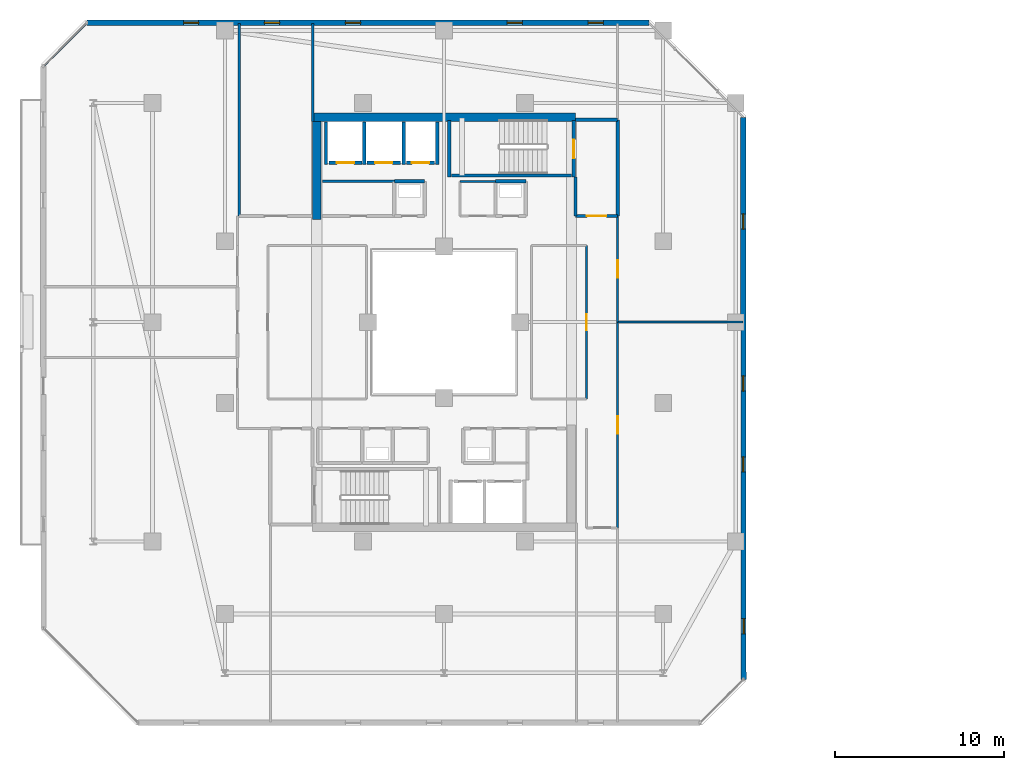
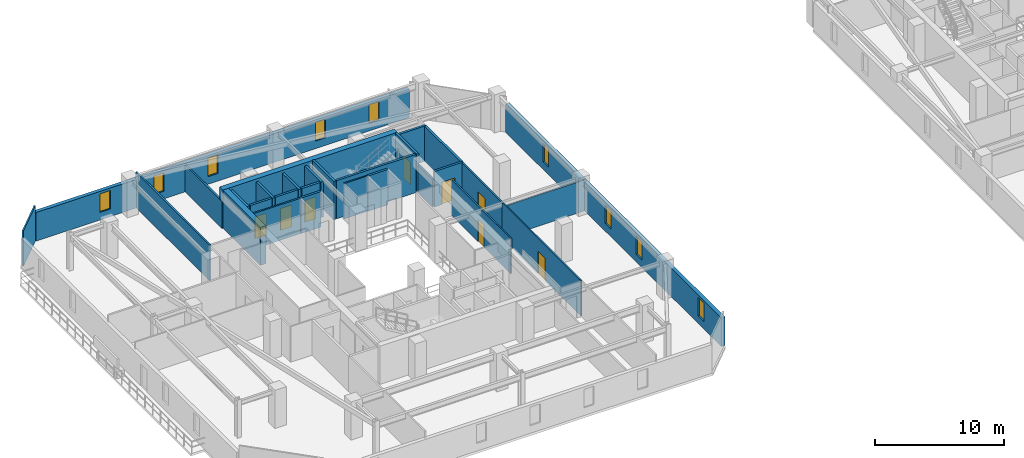
# One storey, part 20 of 31: 29 walls, 9 windows, 8 doors, 17 openings.
"""IFC4 building model written with IfcOpenShell, lengths in metres."""

from ifc_helpers import new_model, si_unit, direction, frame, frame_2d, origin, place, context, subcontext, project, spatial, rectangle, extrude, material, layer, layer_set, type_object, element, fill, save


model = new_model("IFC4")

# Units and contexts
model_context = context("Model", 3, precision=1e-05, world=origin(), true_north=direction((0.0, 1.0)))
body_context = subcontext(model_context, "Body", "Model", "MODEL_VIEW")
ifc_project = project(units=[si_unit("LENGTHUNIT", "METRE"), si_unit("AREAUNIT", "SQUARE_METRE"), si_unit("VOLUMEUNIT", "CUBIC_METRE"), si_unit("PLANEANGLEUNIT", "RADIAN"), si_unit("MASSUNIT", "GRAM", prefix="KILO")], contexts=[model_context])

# Site, building, storey
site_placement = place(None, origin())
site = spatial("IfcSite", under=ifc_project, at=site_placement, CompositionType="ELEMENT")
building_placement = place(site_placement, origin())
building = spatial("IfcBuilding", under=site, at=building_placement, Name="Thornwick Lancets Civic Towers", CompositionType="ELEMENT")
storey_placement = place(building_placement, frame((0.0, 0.0, 236.699951171875)))
storey = spatial("IfcBuildingStorey", under=building, at=storey_placement, Name="L63", CompositionType="ELEMENT", Elevation=236.699951171875)

# Wall, opening, door
ifc_material_1 = material(Name="Concrete blockwork C40/50", Category="masonry")
ifc_layer_1 = layer(ifc_material_1, 0.199951171875, Name="Concrete blockwork C40/50")
ifc_layer_set_1 = layer_set([ifc_layer_1], Name="Concrete blockwork C40/50")
wall_type_1 = type_object("IfcWallType", Name="WALL_COMP_200", PredefinedType="STANDARD", material=ifc_layer_set_1)
wall_1_placement = place(storey_placement, frame((24.919921875, 36.449951171875, 0.0), z_axis=(0.0, 0.0, 1.0), x_axis=(-1.0, 0.0, 0.0)))
wall_1 = element("IfcWall", 1, at=wall_1_placement, inside=storey, type_object=wall_type_1, Name="L63 Hoistway Front Wall FL-A2", PredefinedType="STANDARD", context=body_context, shape_type="SweptSolid", body=[
    extrude(rectangle(XDim=1.639892578125, YDim=0.199951171875, at=frame_2d((0.81982421875, 0.0))), origin(), (0.0, 0.0, 1.0), 3.340087890625),
])
opening_1_placement = place(wall_1_placement, frame((0.31005859375, 0.0, 0.0)))
opening_1 = element("IfcOpeningElement", 2, at=opening_1_placement, cuts=wall_1, Name="Opening LD-FL-A2", PredefinedType="OPENING", context=body_context, shape_type="SweptSolid", body=[
    extrude(rectangle(XDim=1.02001953125, YDim=2.06005859375, at=frame_2d((0.510009765625, 1.030029296875))), frame((0.0, 0.10986328125, 0.0), z_axis=(0.0, -1.0, 0.0), x_axis=(1.0, 0.0, 0.0)), (0.0, 0.0, 1.0), 0.219970703125),
])
ifc_material_2 = material(Name="Brushed bronze stainless steel", Category="steel")
door_type_1 = type_object("IfcDoorType", Name="DOOR_LIFT_SLIDE", OperationType="SLIDING_TO_LEFT", PredefinedType="DOOR", material=ifc_material_2)
door_1_placement = place(opening_1_placement, origin())
door_1 = element("IfcDoor", 3, at=door_1_placement, inside=storey, type_object=door_type_1, Name="L63 Sliding Lift Landing Door LD-FL-A2", OperationType="SLIDING_TO_LEFT", OverallHeight=2.06005859375, OverallWidth=1.02001953125, PredefinedType="DOOR", context=body_context, shape_type="SweptSolid", body=[
    extrude(rectangle(XDim=1.02001953125, YDim=2.06005859375, at=frame_2d((0.510009765625, 1.030029296875))), frame((0.0, 0.02490234375, 0.0), z_axis=(0.0, -1.0, 0.0), x_axis=(1.0, 0.0, 0.0)), (0.0, 0.0, 1.0), 0.050048828125),
])
fill(opening_1, door_1)

wall_2_placement = place(storey_placement, frame((22.919921875, 36.449951171875, 0.0), z_axis=(0.0, 0.0, 1.0), x_axis=(-1.0, 0.0, 0.0)))
wall_2 = element("IfcWall", 4, at=wall_2_placement, inside=storey, type_object=wall_type_1, Name="L63 Hoistway Front Wall PL-AH2", PredefinedType="STANDARD", context=body_context, shape_type="SweptSolid", body=[
    extrude(rectangle(XDim=1.989990234375, YDim=0.199951171875, at=frame_2d((0.9951171875, 0.0))), origin(), (0.0, 0.0, 1.0), 3.340087890625),
])
opening_2_placement = place(wall_2_placement, frame((0.485107421875, 0.0, 0.0)))
opening_2 = element("IfcOpeningElement", 5, at=opening_2_placement, cuts=wall_2, Name="Opening LD-PL-AH2", PredefinedType="OPENING", context=body_context, shape_type="SweptSolid", body=[
    extrude(rectangle(XDim=1.02001953125, YDim=2.06005859375, at=frame_2d((0.510009765625, 1.030029296875))), frame((0.0, 0.10986328125, 0.0), z_axis=(0.0, -1.0, 0.0), x_axis=(1.0, 0.0, 0.0)), (0.0, 0.0, 1.0), 0.219970703125),
])
door_2_placement = place(opening_2_placement, origin())
door_2 = element("IfcDoor", 6, at=door_2_placement, inside=storey, type_object=door_type_1, Name="L63 Sliding Lift Landing Door LD-PL-AH2", OperationType="SLIDING_TO_LEFT", OverallHeight=2.06005859375, OverallWidth=1.02001953125, PredefinedType="DOOR", context=body_context, shape_type="SweptSolid", body=[
    extrude(rectangle(XDim=1.02001953125, YDim=2.06005859375, at=frame_2d((0.510009765625, 1.030029296875))), frame((0.0, 0.02490234375, 0.0), z_axis=(0.0, -1.0, 0.0), x_axis=(1.0, 0.0, 0.0)), (0.0, 0.0, 1.0), 0.050048828125),
])
fill(opening_2, door_2)

wall_3_placement = place(storey_placement, frame((20.6201171875, 36.449951171875, 0.0), z_axis=(0.0, 0.0, 1.0), x_axis=(-1.0, 0.0, 0.0)))
wall_3 = element("IfcWall", 7, at=wall_3_placement, inside=storey, type_object=wall_type_1, Name="L63 Hoistway Front Wall PL-AH3", PredefinedType="STANDARD", context=body_context, shape_type="SweptSolid", body=[
    extrude(rectangle(XDim=1.940185546875, YDim=0.199951171875, at=frame_2d((0.97021484375, 0.0))), origin(), (0.0, 0.0, 1.0), 3.340087890625),
])
opening_3_placement = place(wall_3_placement, frame((0.4599609375, 0.0, 0.0)))
opening_3 = element("IfcOpeningElement", 8, at=opening_3_placement, cuts=wall_3, Name="Opening LD-PL-AH3", PredefinedType="OPENING", context=body_context, shape_type="SweptSolid", body=[
    extrude(rectangle(XDim=1.02001953125, YDim=2.06005859375, at=frame_2d((0.510009765625, 1.030029296875))), frame((0.0, 0.10986328125, 0.0), z_axis=(0.0, -1.0, 0.0), x_axis=(1.0, 0.0, 0.0)), (0.0, 0.0, 1.0), 0.219970703125),
])
door_3_placement = place(opening_3_placement, origin())
door_3 = element("IfcDoor", 9, at=door_3_placement, inside=storey, type_object=door_type_1, Name="L63 Sliding Lift Landing Door LD-PL-AH3", OperationType="SLIDING_TO_LEFT", OverallHeight=2.06005859375, OverallWidth=1.02001953125, PredefinedType="DOOR", context=body_context, shape_type="SweptSolid", body=[
    extrude(rectangle(XDim=1.02001953125, YDim=2.06005859375, at=frame_2d((0.510009765625, 1.030029296875))), frame((0.0, 0.02490234375, 0.0), z_axis=(0.0, -1.0, 0.0), x_axis=(1.0, 0.0, 0.0)), (0.0, 0.0, 1.0), 0.050048828125),
])
fill(opening_3, door_3)

# Walls
for number, where, z_axis, x_axis, name in (
    (10, (25.10009765625, 36.35205078125, 0.0), (0.0, 0.0, 1.0), (0.0, 1.0, 0.0), "L63 Hoistway Shaft Wall FL-A2 E"),
    (11, (23.10009765625, 36.35205078125, 0.0), (0.0, 0.0, 1.0), (0.0, 1.0, 0.0), "L63 Hoistway Shaft Wall FL-A2 W"),
    (12, (20.77490234375, 36.35205078125, 0.0), (0.0, 0.0, 1.0), (0.0, 1.0, 0.0), "L63 Hoistway Shaft Wall PL-AH2 W"),
    (13, (18.5, 36.35205078125, 0.0), (0.0, 0.0, 1.0), (0.0, 1.0, 0.0), "L63 Hoistway Shaft Wall PL-AH3 W"),
):
    element("IfcWall", number, at=place(storey_placement, frame(where, z_axis=z_axis, x_axis=x_axis)), inside=storey, type_object=wall_type_1, Name=name, PredefinedType="STANDARD", context=body_context, shape_type="SweptSolid", body=[
        extrude(rectangle(XDim=2.535888671875, YDim=0.199951171875, at=frame_2d((1.26806640625, 0.0))), origin(), (0.0, 0.0, 1.0), 3.340087890625),
    ])

# Wall, opening, door
wall_4_placement = place(storey_placement, frame((33.300048828125, 33.300048828125, 0.0), z_axis=(0.0, 0.0, 1.0), x_axis=(1.0, 0.0, 0.0)))
wall_4 = element("IfcWall", 14, at=wall_4_placement, inside=storey, type_object=wall_type_1, Name="L63 Partition L63-A-FFLOB2 E1", PredefinedType="STANDARD", context=body_context, shape_type="SweptSolid", body=[
    extrude(rectangle(XDim=2.5, YDim=0.199951171875, at=frame_2d((1.25, 0.0))), origin(), (0.0, 0.0, 1.0), 3.340087890625),
])
opening_4_placement = place(wall_4_placement, frame((0.675048828125, 0.0, 0.0)))
opening_4 = element("IfcOpeningElement", 15, at=opening_4_placement, cuts=wall_4, Name="Opening D-L63-2828", PredefinedType="OPENING", context=body_context, shape_type="SweptSolid", body=[
    extrude(rectangle(XDim=1.14990234375, YDim=2.10009765625, at=frame_2d((0.574951171875, 1.050048828125))), frame((0.0, 0.10986328125, 0.0), z_axis=(0.0, -1.0, 0.0), x_axis=(1.0, 0.0, 0.0)), (0.0, 0.0, 1.0), 0.219970703125),
])
ifc_material_3 = material(Name="Glazed fire-resisting steel", Category="steel")
door_type_2 = type_object("IfcDoorType", Name="DOOR_LOBBY_FD60", OperationType="NOTDEFINED", PredefinedType="DOOR", material=ifc_material_3)
door_4_placement = place(opening_4_placement, origin())
door_4 = element("IfcDoor", 16, at=door_4_placement, inside=storey, type_object=door_type_2, Name="L63 North Firefighting Lobby 2 Door", OperationType="SINGLE_SWING_LEFT", OverallHeight=2.10009765625, OverallWidth=1.14990234375, PredefinedType="DOOR", context=body_context, shape_type="SweptSolid", body=[
    extrude(rectangle(XDim=1.14990234375, YDim=2.10009765625, at=frame_2d((0.574951171875, 1.050048828125))), frame((0.0, 0.02490234375, 0.0), z_axis=(0.0, -1.0, 0.0), x_axis=(1.0, 0.0, 0.0)), (0.0, 0.0, 1.0), 0.050048828125),
])
fill(opening_4, door_4)

# Walls
wall_5_placement = place(storey_placement, frame((35.800048828125, 33.300048828125, 0.0), z_axis=(0.0, 0.0, 1.0), x_axis=(0.0, 1.0, 0.0)))
element("IfcWall", 17, at=wall_5_placement, inside=storey, type_object=wall_type_1, Name="L63 Partition L63-A-FFLOB2 E2", PredefinedType="STANDARD", context=body_context, shape_type="SweptSolid", body=[
    extrude(rectangle(XDim=5.699951171875, YDim=0.199951171875, at=frame_2d((2.85009765625, 0.0))), origin(), (0.0, 0.0, 1.0), 3.340087890625),
])
wall_6_placement = place(storey_placement, frame((35.800048828125, 39.0, 0.0), z_axis=(0.0, 0.0, 1.0), x_axis=(-1.0, 0.0, 0.0)))
element("IfcWall", 18, at=wall_6_placement, inside=storey, type_object=wall_type_1, Name="L63 Partition L63-A-FFLOB2 E3", PredefinedType="STANDARD", context=body_context, shape_type="SweptSolid", body=[
    extrude(rectangle(XDim=2.5, YDim=0.199951171875, at=frame_2d((1.25, 0.0))), origin(), (0.0, 0.0, 1.0), 3.340087890625),
])
wall_7_placement = place(storey_placement, frame((33.300048828125, 35.60009765625, 0.0), z_axis=(0.0, 0.0, 1.0), x_axis=(0.0, -1.0, 0.0)))
element("IfcWall", 19, at=wall_7_placement, inside=storey, type_object=wall_type_1, Name="L63 Partition L63-A-FFLOB2 E4", PredefinedType="STANDARD", context=body_context, shape_type="SweptSolid", body=[
    extrude(rectangle(XDim=2.300048828125, YDim=0.199951171875, at=frame_2d((1.14990234375, 0.0))), origin(), (0.0, 0.0, 1.0), 2.545166015625),
])
for number, where, z_axis, x_axis, name in (
    (20, (24.35009765625, 35.35009765625, 0.0), (0.0, 0.0, 1.0), (-1.0, 0.0, 0.0), "L63 Partition L63-A-DUCT2 E3"),
    (21, (30.35009765625, 35.35009765625, 0.0), (0.0, 0.0, 1.0), (-1.0, 0.0, 0.0), "L63 Partition L63-A-RISER2 E3"),
):
    element("IfcWall", number, at=place(storey_placement, frame(where, z_axis=z_axis, x_axis=x_axis)), inside=storey, type_object=wall_type_1, Name=name, PredefinedType="STANDARD", context=body_context, shape_type="SweptSolid", body=[
        extrude(rectangle(XDim=1.800048828125, YDim=0.199951171875, at=frame_2d((0.89990234375, 0.0))), origin(), (0.0, 0.0, 1.0), 3.340087890625),
    ])
ifc_material_4 = material(Name="Concrete C50/60", Category="concrete")
ifc_layer_2 = layer(ifc_material_4, 0.5, Name="Concrete C50/60")
ifc_layer_set_2 = layer_set([ifc_layer_2], Name="Concrete C50/60")
wall_type_2 = type_object("IfcWallType", Name="WALL_CORE_500", PredefinedType="SHEAR", material=ifc_layer_set_2)
wall_8_placement = place(storey_placement, frame((17.699951171875, 39.14990234375, 0.0), z_axis=(0.0, 0.0, 1.0), x_axis=(1.0, 0.0, 0.0)))
element("IfcWall", 22, at=wall_8_placement, inside=storey, type_object=wall_type_2, Name="L63 Split Core A2 Shear Wall N", PredefinedType="SHEAR", context=body_context, shape_type="SweptSolid", body=[
    extrude(rectangle(XDim=15.60009765625, YDim=0.5, at=frame_2d((7.800048828125, 0.0))), origin(), (0.0, 0.0, 1.0), 3.60009765625),
])
wall_9_placement = place(storey_placement, frame((17.949951171875, 33.10009765625, 0.0), z_axis=(0.0, 0.0, 1.0), x_axis=(0.0, 1.0, 0.0)))
element("IfcWall", 23, at=wall_9_placement, inside=storey, type_object=wall_type_2, Name="L63 Split Core A2 Shear Wall W", PredefinedType="SHEAR", context=body_context, shape_type="SweptSolid", body=[
    extrude(rectangle(XDim=5.7998046875, YDim=0.5, at=frame_2d((2.89990234375, 0.0))), origin(), (0.0, 0.0, 1.0), 3.60009765625),
])

# Wall, openings, windows
ifc_material_5 = material(Name="Insulated buff terracotta rainscreen on concrete C40/50", Category="masonry")
ifc_layer_3 = layer(ifc_material_5, 0.320068359375, Name="Insulated buff terracotta rainscreen on concrete C40/50")
ifc_layer_set_3 = layer_set([ifc_layer_3], Name="Insulated buff terracotta rainscreen on concrete C40/50")
wall_type_3 = type_object("IfcWallType", Name="WALL_EXT_TERRA_320", PredefinedType="STANDARD", material=ifc_layer_set_3)
wall_10_placement = place(storey_placement, frame((43.2646484375, 5.818603515625, 0.0), z_axis=(0.0, 0.0, 1.0), x_axis=(-0.000300328883, 0.999999954901, 0.0)))
wall_10 = element("IfcWall", 24, at=wall_10_placement, inside=storey, type_object=wall_type_3, Name="L63 Tower A Terracotta Facade Wall E2", PredefinedType="STANDARD", context=body_context, shape_type="SweptSolid", body=[
    extrude(rectangle(XDim=33.329345703125, YDim=0.320068359375, at=frame_2d((16.66455078125, 0.0))), origin(), (0.0, 0.0, 1.0), 2.699951171875),
])
opening_5_placement = place(wall_10_placement, frame((2.699951171875, 0.0, 0.719970703125)))
opening_5 = element("IfcOpeningElement", 25, at=opening_5_placement, cuts=wall_10, Name="Opening WL-01", PredefinedType="OPENING", context=body_context, shape_type="SweptSolid", body=[
    extrude(rectangle(XDim=0.89990234375, YDim=1.75, at=frame_2d((0.449951171875, 0.875))), frame((0.0, 0.169921875, 0.0), z_axis=(0.0, -1.0, 0.0), x_axis=(1.0, 0.0, 0.0)), (0.0, 0.0, 1.0), 0.340087890625),
])
opening_6_placement = place(wall_10_placement, frame((12.300048828125, 0.0, 0.719970703125)))
opening_6 = element("IfcOpeningElement", 26, at=opening_6_placement, cuts=wall_10, Name="Opening WL-01", PredefinedType="OPENING", context=body_context, shape_type="SweptSolid", body=[
    extrude(rectangle(XDim=0.89990234375, YDim=1.75, at=frame_2d((0.449951171875, 0.875))), frame((0.0, 0.169921875, 0.0), z_axis=(0.0, -1.0, 0.0), x_axis=(1.0, 0.0, 0.0)), (0.0, 0.0, 1.0), 0.340087890625),
])
opening_7_placement = place(wall_10_placement, frame((17.10009765625, 0.0, 0.719970703125)))
opening_7 = element("IfcOpeningElement", 27, at=opening_7_placement, cuts=wall_10, Name="Opening WL-01", PredefinedType="OPENING", context=body_context, shape_type="SweptSolid", body=[
    extrude(rectangle(XDim=0.89990234375, YDim=1.75, at=frame_2d((0.449951171875, 0.875))), frame((0.0, 0.169921875, 0.0), z_axis=(0.0, -1.0, 0.0), x_axis=(1.0, 0.0, 0.0)), (0.0, 0.0, 1.0), 0.340087890625),
])
opening_8_placement = place(wall_10_placement, frame((26.699951171875, 0.0, 0.719970703125)))
opening_8 = element("IfcOpeningElement", 28, at=opening_8_placement, cuts=wall_10, Name="Opening WL-01", PredefinedType="OPENING", context=body_context, shape_type="SweptSolid", body=[
    extrude(rectangle(XDim=0.89990234375, YDim=1.75, at=frame_2d((0.449951171875, 0.875))), frame((0.0, 0.169921875, 0.0), z_axis=(0.0, -1.0, 0.0), x_axis=(1.0, 0.0, 0.0)), (0.0, 0.0, 1.0), 0.340087890625),
])
ifc_material_6 = material(Name="Clear low-e double glazing in bronze frame", Category="glass")
window_type = type_object("IfcWindowType", Name="WIN_LANCET_900", PartitioningType="SINGLE_PANEL", PredefinedType="WINDOW", material=ifc_material_6)
window_1_placement = place(opening_5_placement, origin())
window_1 = element("IfcWindow", 29, at=window_1_placement, inside=storey, type_object=window_type, Name="L63 Tower A Staggered Lancet Window E2-1", OverallHeight=1.75, OverallWidth=0.89990234375, PartitioningType="SINGLE_PANEL", PredefinedType="WINDOW", context=body_context, shape_type="SweptSolid", body=[
    extrude(rectangle(XDim=0.89990234375, YDim=1.75, at=frame_2d((0.449951171875, 0.875))), frame((0.0, 0.030029296875, 0.0), z_axis=(0.0, -1.0, 0.0), x_axis=(1.0, 0.0, 0.0)), (0.0, 0.0, 1.0), 0.06005859375),
])
fill(opening_5, window_1)
window_2_placement = place(opening_6_placement, origin())
window_2 = element("IfcWindow", 30, at=window_2_placement, inside=storey, type_object=window_type, Name="L63 Tower A Staggered Lancet Window E2-2", OverallHeight=1.75, OverallWidth=0.89990234375, PartitioningType="SINGLE_PANEL", PredefinedType="WINDOW", context=body_context, shape_type="SweptSolid", body=[
    extrude(rectangle(XDim=0.89990234375, YDim=1.75, at=frame_2d((0.449951171875, 0.875))), frame((0.0, 0.030029296875, 0.0), z_axis=(0.0, -1.0, 0.0), x_axis=(1.0, 0.0, 0.0)), (0.0, 0.0, 1.0), 0.06005859375),
])
fill(opening_6, window_2)
window_3_placement = place(opening_7_placement, origin())
window_3 = element("IfcWindow", 31, at=window_3_placement, inside=storey, type_object=window_type, Name="L63 Tower A Staggered Lancet Window E2-3", OverallHeight=1.75, OverallWidth=0.89990234375, PartitioningType="SINGLE_PANEL", PredefinedType="WINDOW", context=body_context, shape_type="SweptSolid", body=[
    extrude(rectangle(XDim=0.89990234375, YDim=1.75, at=frame_2d((0.449951171875, 0.875))), frame((0.0, 0.030029296875, 0.0), z_axis=(0.0, -1.0, 0.0), x_axis=(1.0, 0.0, 0.0)), (0.0, 0.0, 1.0), 0.06005859375),
])
fill(opening_7, window_3)
window_4_placement = place(opening_8_placement, origin())
window_4 = element("IfcWindow", 32, at=window_4_placement, inside=storey, type_object=window_type, Name="L63 Tower A Staggered Lancet Window E2-4", OverallHeight=1.75, OverallWidth=0.89990234375, PartitioningType="SINGLE_PANEL", PredefinedType="WINDOW", context=body_context, shape_type="SweptSolid", body=[
    extrude(rectangle(XDim=0.89990234375, YDim=1.75, at=frame_2d((0.449951171875, 0.875))), frame((0.0, 0.030029296875, 0.0), z_axis=(0.0, -1.0, 0.0), x_axis=(1.0, 0.0, 0.0)), (0.0, 0.0, 1.0), 0.06005859375),
])
fill(opening_8, window_4)

wall_11_placement = place(storey_placement, frame((37.64794921875, 44.754638671875, 0.0), z_axis=(0.0, 0.0, 1.0), x_axis=(-0.999999954901, 0.000300328883, 0.0)))
wall_11 = element("IfcWall", 33, at=wall_11_placement, inside=storey, type_object=wall_type_3, Name="L63 Tower A Terracotta Facade Wall E4", PredefinedType="STANDARD", context=body_context, shape_type="SweptSolid", body=[
    extrude(rectangle(XDim=33.329345703125, YDim=0.320068359375, at=frame_2d((16.66455078125, 0.0))), origin(), (0.0, 0.0, 1.0), 2.699951171875),
])
opening_9_placement = place(wall_11_placement, frame((2.699951171875, 0.0, 0.719970703125)))
opening_9 = element("IfcOpeningElement", 34, at=opening_9_placement, cuts=wall_11, Name="Opening WL-01", PredefinedType="OPENING", context=body_context, shape_type="SweptSolid", body=[
    extrude(rectangle(XDim=0.89990234375, YDim=1.75, at=frame_2d((0.449951171875, 0.875))), frame((0.0, 0.169921875, 0.0), z_axis=(0.0, -1.0, 0.0), x_axis=(1.0, 0.0, 0.0)), (0.0, 0.0, 1.0), 0.340087890625),
])
opening_10_placement = place(wall_11_placement, frame((7.5, 0.0, 0.719970703125)))
opening_10 = element("IfcOpeningElement", 35, at=opening_10_placement, cuts=wall_11, Name="Opening WL-01", PredefinedType="OPENING", context=body_context, shape_type="SweptSolid", body=[
    extrude(rectangle(XDim=0.89990234375, YDim=1.75, at=frame_2d((0.449951171875, 0.875))), frame((0.0, 0.169921875, 0.0), z_axis=(0.0, -1.0, 0.0), x_axis=(1.0, 0.0, 0.0)), (0.0, 0.0, 1.0), 0.340087890625),
])
opening_11_placement = place(wall_11_placement, frame((17.10009765625, 0.0, 0.719970703125)))
opening_11 = element("IfcOpeningElement", 36, at=opening_11_placement, cuts=wall_11, Name="Opening WL-01", PredefinedType="OPENING", context=body_context, shape_type="SweptSolid", body=[
    extrude(rectangle(XDim=0.89990234375, YDim=1.75, at=frame_2d((0.449951171875, 0.875))), frame((0.0, 0.169921875, 0.0), z_axis=(0.0, -1.0, 0.0), x_axis=(1.0, 0.0, 0.0)), (0.0, 0.0, 1.0), 0.340087890625),
])
opening_12_placement = place(wall_11_placement, frame((21.89990234375, 0.0, 0.719970703125)))
opening_12 = element("IfcOpeningElement", 37, at=opening_12_placement, cuts=wall_11, Name="Opening WL-01", PredefinedType="OPENING", context=body_context, shape_type="SweptSolid", body=[
    extrude(rectangle(XDim=0.89990234375, YDim=1.75, at=frame_2d((0.449951171875, 0.875))), frame((0.0, 0.169921875, 0.0), z_axis=(0.0, -1.0, 0.0), x_axis=(1.0, 0.0, 0.0)), (0.0, 0.0, 1.0), 0.340087890625),
])
opening_13_placement = place(wall_11_placement, frame((26.699951171875, 0.0, 0.719970703125)))
opening_13 = element("IfcOpeningElement", 38, at=opening_13_placement, cuts=wall_11, Name="Opening WL-01", PredefinedType="OPENING", context=body_context, shape_type="SweptSolid", body=[
    extrude(rectangle(XDim=0.89990234375, YDim=1.75, at=frame_2d((0.449951171875, 0.875))), frame((0.0, 0.169921875, 0.0), z_axis=(0.0, -1.0, 0.0), x_axis=(1.0, 0.0, 0.0)), (0.0, 0.0, 1.0), 0.340087890625),
])
window_5_placement = place(opening_9_placement, origin())
window_5 = element("IfcWindow", 39, at=window_5_placement, inside=storey, type_object=window_type, Name="L63 Tower A Staggered Lancet Window E4-1", OverallHeight=1.75, OverallWidth=0.89990234375, PartitioningType="SINGLE_PANEL", PredefinedType="WINDOW", context=body_context, shape_type="SweptSolid", body=[
    extrude(rectangle(XDim=0.89990234375, YDim=1.75, at=frame_2d((0.449951171875, 0.875))), frame((0.0, 0.030029296875, 0.0), z_axis=(0.0, -1.0, 0.0), x_axis=(1.0, 0.0, 0.0)), (0.0, 0.0, 1.0), 0.06005859375),
])
fill(opening_9, window_5)
window_6_placement = place(opening_10_placement, origin())
window_6 = element("IfcWindow", 40, at=window_6_placement, inside=storey, type_object=window_type, Name="L63 Tower A Staggered Lancet Window E4-2", OverallHeight=1.75, OverallWidth=0.89990234375, PartitioningType="SINGLE_PANEL", PredefinedType="WINDOW", context=body_context, shape_type="SweptSolid", body=[
    extrude(rectangle(XDim=0.89990234375, YDim=1.75, at=frame_2d((0.449951171875, 0.875))), frame((0.0, 0.030029296875, 0.0), z_axis=(0.0, -1.0, 0.0), x_axis=(1.0, 0.0, 0.0)), (0.0, 0.0, 1.0), 0.06005859375),
])
fill(opening_10, window_6)
window_7_placement = place(opening_11_placement, origin())
window_7 = element("IfcWindow", 41, at=window_7_placement, inside=storey, type_object=window_type, Name="L63 Tower A Staggered Lancet Window E4-3", OverallHeight=1.75, OverallWidth=0.89990234375, PartitioningType="SINGLE_PANEL", PredefinedType="WINDOW", context=body_context, shape_type="SweptSolid", body=[
    extrude(rectangle(XDim=0.89990234375, YDim=1.75, at=frame_2d((0.449951171875, 0.875))), frame((0.0, 0.030029296875, 0.0), z_axis=(0.0, -1.0, 0.0), x_axis=(1.0, 0.0, 0.0)), (0.0, 0.0, 1.0), 0.06005859375),
])
fill(opening_11, window_7)
window_8_placement = place(opening_12_placement, origin())
window_8 = element("IfcWindow", 42, at=window_8_placement, inside=storey, type_object=window_type, Name="L63 Tower A Staggered Lancet Window E4-4", OverallHeight=1.75, OverallWidth=0.89990234375, PartitioningType="SINGLE_PANEL", PredefinedType="WINDOW", context=body_context, shape_type="SweptSolid", body=[
    extrude(rectangle(XDim=0.89990234375, YDim=1.75, at=frame_2d((0.449951171875, 0.875))), frame((0.0, 0.030029296875, 0.0), z_axis=(0.0, -1.0, 0.0), x_axis=(1.0, 0.0, 0.0)), (0.0, 0.0, 1.0), 0.06005859375),
])
fill(opening_12, window_8)
window_9_placement = place(opening_13_placement, origin())
window_9 = element("IfcWindow", 43, at=window_9_placement, inside=storey, type_object=window_type, Name="L63 Tower A Staggered Lancet Window E4-5", OverallHeight=1.75, OverallWidth=0.89990234375, PartitioningType="SINGLE_PANEL", PredefinedType="WINDOW", context=body_context, shape_type="SweptSolid", body=[
    extrude(rectangle(XDim=0.89990234375, YDim=1.75, at=frame_2d((0.449951171875, 0.875))), frame((0.0, 0.030029296875, 0.0), z_axis=(0.0, -1.0, 0.0), x_axis=(1.0, 0.0, 0.0)), (0.0, 0.0, 1.0), 0.06005859375),
])
fill(opening_13, window_9)

# Walls
ifc_material_7 = material(Name="Acoustic gypsum board partition")
ifc_layer_4 = layer(ifc_material_7, 0.1201171875, Name="Acoustic gypsum board partition")
ifc_layer_set_4 = layer_set([ifc_layer_4], Name="Acoustic gypsum board partition")
wall_type_4 = type_object("IfcWallType", Name="WALL_PART_120", PredefinedType="PARTITIONING", material=ifc_layer_set_4)
wall_12_placement = place(storey_placement, frame((26.449951171875, 35.35009765625, 0.0), z_axis=(0.0, 0.0, 1.0), x_axis=(1.0, 0.0, 0.0)))
element("IfcWall", 44, at=wall_12_placement, inside=storey, type_object=wall_type_4, Name="L63 Partition L63-A-ITR E2", PredefinedType="PARTITIONING", context=body_context, shape_type="SweptSolid", body=[
    extrude(rectangle(XDim=2.10009765625, YDim=0.1201171875, at=frame_2d((1.050048828125, 0.0))), origin(), (0.0, 0.0, 1.0), 3.340087890625),
])
wall_13_placement = place(storey_placement, frame((1.780029296875, 42.225341796875, 0.0), z_axis=(0.0, 0.0, 1.0), x_axis=(0.707106781187, 0.707106781187, 0.0)))
element("IfcWall", 45, at=wall_13_placement, inside=storey, type_object=wall_type_4, Name="L63 Partition L63-A-W2B E2", PredefinedType="PARTITIONING", context=body_context, shape_type="SweptSolid", body=[
    extrude(rectangle(XDim=3.52783203125, YDim=0.1201171875, at=frame_2d((1.763916015625, 0.0))), origin(), (0.0, 0.0, 1.0), 3.340087890625),
])

# Wall, opening, door
wall_14_placement = place(storey_placement, frame((35.800048828125, 14.800048828125, 0.0), z_axis=(0.0, 0.0, 1.0), x_axis=(0.0, 1.0, 0.0)))
wall_14 = element("IfcWall", 46, at=wall_14_placement, inside=storey, type_object=wall_type_4, Name="L63 Partition L63-A-E1 E3", PredefinedType="PARTITIONING", context=body_context, shape_type="SweptSolid", body=[
    extrude(rectangle(XDim=12.199951171875, YDim=0.1201171875, at=frame_2d((6.10009765625, 0.0))), origin(), (0.0, 0.0, 1.0), 3.340087890625),
])
opening_14_placement = place(wall_14_placement, frame((5.574951171875, 0.0, 0.0)))
opening_14 = element("IfcOpeningElement", 47, at=opening_14_placement, cuts=wall_14, Name="Opening D-L63-2857", PredefinedType="OPENING", context=body_context, shape_type="SweptSolid", body=[
    extrude(rectangle(XDim=1.050048828125, YDim=2.10009765625, at=frame_2d((0.52490234375, 1.050048828125))), frame((0.0, 0.070068359375, 0.0), z_axis=(0.0, -1.0, 0.0), x_axis=(1.0, 0.0, 0.0)), (0.0, 0.0, 1.0), 0.14013671875),
])
ifc_material_8 = material(Name="Glazed European oak executive doorset")
door_type_3 = type_object("IfcDoorType", Name="DOOR_OFFICE_1050", OperationType="NOTDEFINED", PredefinedType="DOOR", material=ifc_material_8)
door_5_placement = place(opening_14_placement, origin())
door_5 = element("IfcDoor", 48, at=door_5_placement, inside=storey, type_object=door_type_3, Name="L63 Tower A Secretariat Open Office E1 Door", OperationType="SINGLE_SWING_RIGHT", OverallHeight=2.10009765625, OverallWidth=1.050048828125, PredefinedType="DOOR", context=body_context, shape_type="SweptSolid", body=[
    extrude(rectangle(XDim=1.050048828125, YDim=2.10009765625, at=frame_2d((0.52490234375, 1.050048828125))), frame((0.0, 0.02490234375, 0.0), z_axis=(0.0, -1.0, 0.0), x_axis=(1.0, 0.0, 0.0)), (0.0, 0.0, 1.0), 0.050048828125),
])
fill(opening_14, door_5)

# Wall
wall_15_placement = place(storey_placement, frame((35.800048828125, 27.0, 0.0), z_axis=(0.0, 0.0, 1.0), x_axis=(1.0, 0.0, 0.0)))
element("IfcWall", 49, at=wall_15_placement, inside=storey, type_object=wall_type_4, Name="L63 Partition L63-A-E1 E4", PredefinedType="PARTITIONING", context=body_context, shape_type="SweptSolid", body=[
    extrude(rectangle(XDim=7.419921875, YDim=0.1201171875, at=frame_2d((3.7099609375, 0.0))), origin(), (0.0, 0.0, 1.0), 2.93212890625),
])

# Wall, opening, door
wall_16_placement = place(storey_placement, frame((35.800048828125, 27.0, 0.0), z_axis=(0.0, 0.0, 1.0), x_axis=(0.0, 1.0, 0.0)))
wall_16 = element("IfcWall", 50, at=wall_16_placement, inside=storey, type_object=wall_type_4, Name="L63 Partition L63-A-E2 E7", PredefinedType="PARTITIONING", context=body_context, shape_type="SweptSolid", body=[
    extrude(rectangle(XDim=6.300048828125, YDim=0.1201171875, at=frame_2d((3.14990234375, 0.0))), origin(), (0.0, 0.0, 1.0), 3.340087890625),
])
opening_15_placement = place(wall_16_placement, frame((2.625, 0.0, 0.0)))
opening_15 = element("IfcOpeningElement", 51, at=opening_15_placement, cuts=wall_16, Name="Opening D-L63-2858", PredefinedType="OPENING", context=body_context, shape_type="SweptSolid", body=[
    extrude(rectangle(XDim=1.050048828125, YDim=2.10009765625, at=frame_2d((0.52490234375, 1.050048828125))), frame((0.0, 0.070068359375, 0.0), z_axis=(0.0, -1.0, 0.0), x_axis=(1.0, 0.0, 0.0)), (0.0, 0.0, 1.0), 0.14013671875),
])
door_6_placement = place(opening_15_placement, origin())
door_6 = element("IfcDoor", 52, at=door_6_placement, inside=storey, type_object=door_type_3, Name="L63 Tower A Visitors Reception and Waiting Door", OperationType="SINGLE_SWING_LEFT", OverallHeight=2.10009765625, OverallWidth=1.050048828125, PredefinedType="DOOR", context=body_context, shape_type="SweptSolid", body=[
    extrude(rectangle(XDim=1.050048828125, YDim=2.10009765625, at=frame_2d((0.52490234375, 1.050048828125))), frame((0.0, 0.02490234375, 0.0), z_axis=(0.0, -1.0, 0.0), x_axis=(1.0, 0.0, 0.0)), (0.0, 0.0, 1.0), 0.050048828125),
])
fill(opening_15, door_6)

wall_17_placement = place(storey_placement, frame((33.949951171875, 31.550048828125, 0.0), z_axis=(0.0, 0.0, 1.0), x_axis=(0.0, -1.0, 0.0)))
wall_17 = element("IfcWall", 53, at=wall_17_placement, inside=storey, type_object=wall_type_4, Name="L63 Partition L63-A-E-ATRIUM-OFF E3", PredefinedType="PARTITIONING", context=body_context, shape_type="SweptSolid", body=[
    extrude(rectangle(XDim=9.10009765625, YDim=0.1201171875, at=frame_2d((4.550048828125, 0.0))), origin(), (0.0, 0.0, 1.0), 3.340087890625),
])
opening_16_placement = place(wall_17_placement, frame((4.074951171875, 0.0, 0.0)))
opening_16 = element("IfcOpeningElement", 54, at=opening_16_placement, cuts=wall_17, Name="Opening D-L63-2859", PredefinedType="OPENING", context=body_context, shape_type="SweptSolid", body=[
    extrude(rectangle(XDim=0.949951171875, YDim=2.10009765625, at=frame_2d((0.47509765625, 1.050048828125))), frame((0.0, 0.070068359375, 0.0), z_axis=(0.0, -1.0, 0.0), x_axis=(1.0, 0.0, 0.0)), (0.0, 0.0, 1.0), 0.14013671875),
])
ifc_material_9 = material(Name="European oak acoustic doorset")
door_type_4 = type_object("IfcDoorType", Name="DOOR_OFFICE_950", OperationType="NOTDEFINED", PredefinedType="DOOR", material=ifc_material_9)
door_7_placement = place(opening_16_placement, origin())
door_7 = element("IfcDoor", 55, at=door_7_placement, inside=storey, type_object=door_type_4, Name="L63 Tower A Atrium Policy Office Door", OperationType="SINGLE_SWING_RIGHT", OverallHeight=2.10009765625, OverallWidth=0.949951171875, PredefinedType="DOOR", context=body_context, shape_type="SweptSolid", body=[
    extrude(rectangle(XDim=0.949951171875, YDim=2.10009765625, at=frame_2d((0.47509765625, 1.050048828125))), frame((0.0, 0.02490234375, 0.0), z_axis=(0.0, -1.0, 0.0), x_axis=(1.0, 0.0, 0.0)), (0.0, 0.0, 1.0), 0.050048828125),
])
fill(opening_16, door_7)

# Walls
ifc_material_10 = material(Name="Twin-stud acoustic gypsum board")
ifc_layer_5 = layer(ifc_material_10, 0.14990234375, Name="Twin-stud acoustic gypsum board")
ifc_layer_set_5 = layer_set([ifc_layer_5], Name="Twin-stud acoustic gypsum board")
wall_type_5 = type_object("IfcWallType", Name="WALL_PART_150", PredefinedType="PARTITIONING", material=ifc_layer_set_5)
wall_18_placement = place(storey_placement, frame((18.300048828125, 35.35009765625, 0.0), z_axis=(0.0, 0.0, 1.0), x_axis=(1.0, 0.0, 0.0)))
element("IfcWall", 56, at=wall_18_placement, inside=storey, type_object=wall_type_5, Name="L63 Partition L63-A-FWC E2", PredefinedType="PARTITIONING", context=body_context, shape_type="SweptSolid", body=[
    extrude(rectangle(XDim=4.25, YDim=0.14990234375, at=frame_2d((2.125, 0.0))), origin(), (0.0, 0.0, 1.0), 3.340087890625),
])
wall_19_placement = place(storey_placement, frame((13.35009765625, 33.300048828125, 0.0), z_axis=(0.0, 0.0, 1.0), x_axis=(0.0, 1.0, 0.0)))
element("IfcWall", 57, at=wall_19_placement, inside=storey, type_object=wall_type_5, Name="L63 Partition L63-A-RECLAIM-M1 E1", PredefinedType="PARTITIONING", context=body_context, shape_type="SweptSolid", body=[
    extrude(rectangle(XDim=11.419921875, YDim=0.14990234375, at=frame_2d((5.7099609375, 0.0))), origin(), (0.0, 0.0, 1.0), 3.340087890625),
])
wall_20_placement = place(storey_placement, frame((17.699951171875, 44.719970703125, 0.0), z_axis=(0.0, 0.0, 1.0), x_axis=(0.0, -1.0, 0.0)))
element("IfcWall", 58, at=wall_20_placement, inside=storey, type_object=wall_type_5, Name="L63 Partition L63-A-RECLAIM-M1 E3", PredefinedType="PARTITIONING", context=body_context, shape_type="SweptSolid", body=[
    extrude(rectangle(XDim=5.820068359375, YDim=0.14990234375, at=frame_2d((2.91015625, 0.0))), origin(), (0.0, 0.0, 1.0), 2.545166015625),
])

# Wall, opening, door
ifc_material_11 = material(Name="Concrete C40/50", Category="concrete")
ifc_layer_6 = layer(ifc_material_11, 0.199951171875, Name="Concrete C40/50")
ifc_layer_set_6 = layer_set([ifc_layer_6], Name="Concrete C40/50")
wall_type_6 = type_object("IfcWallType", Name="WALL_SHAFT_200", PredefinedType="SHEAR", material=ifc_layer_set_6)
wall_21_placement = place(storey_placement, frame((33.199951171875, 38.949951171875, 0.0), z_axis=(0.0, 0.0, 1.0), x_axis=(0.0, -1.0, 0.0)))
wall_21 = element("IfcWall", 59, at=wall_21_placement, inside=storey, type_object=wall_type_6, Name="L63 ST-A2 Fire Stair Core Wall NEAR", PredefinedType="SHEAR", context=body_context, shape_type="SweptSolid", body=[
    extrude(rectangle(XDim=3.349853515625, YDim=0.199951171875, at=frame_2d((1.6748046875, 0.0))), origin(), (0.0, 0.0, 1.0), 3.60009765625),
])
opening_17_placement = place(wall_21_placement, frame((1.125, 0.0, 0.0)))
opening_17 = element("IfcOpeningElement", 60, at=opening_17_placement, cuts=wall_21, Name="Opening D-ST-A2-L63", PredefinedType="OPENING", context=body_context, shape_type="SweptSolid", body=[
    extrude(rectangle(XDim=1.10009765625, YDim=2.10009765625, at=frame_2d((0.550048828125, 1.050048828125))), frame((0.0, 0.10986328125, 0.0), z_axis=(0.0, -1.0, 0.0), x_axis=(1.0, 0.0, 0.0)), (0.0, 0.0, 1.0), 0.219970703125),
])
ifc_material_12 = material(Name="Fire-resisting steel and hardwood", Category="steel")
door_type_5 = type_object("IfcDoorType", Name="DOOR_STAIR_FD60", OperationType="NOTDEFINED", PredefinedType="DOOR", material=ifc_material_12)
door_8_placement = place(opening_17_placement, origin())
door_8 = element("IfcDoor", 61, at=door_8_placement, inside=storey, type_object=door_type_5, Name="L63 ST-A2 Exit Stair Door", OperationType="SINGLE_SWING_LEFT", OverallHeight=2.10009765625, OverallWidth=1.10009765625, PredefinedType="DOOR", context=body_context, shape_type="SweptSolid", body=[
    extrude(rectangle(XDim=1.10009765625, YDim=2.10009765625, at=frame_2d((0.550048828125, 1.050048828125))), frame((0.0, 0.02490234375, 0.0), z_axis=(0.0, -1.0, 0.0), x_axis=(1.0, 0.0, 0.0)), (0.0, 0.0, 1.0), 0.050048828125),
])
fill(opening_17, door_8)

# Walls
wall_22_placement = place(storey_placement, frame((25.800048828125, 35.60009765625, 0.0), z_axis=(0.0, 0.0, 1.0), x_axis=(0.0, 1.0, 0.0)))
element("IfcWall", 62, at=wall_22_placement, inside=storey, type_object=wall_type_6, Name="L63 ST-A2 Fire Stair Core Wall FAR", PredefinedType="SHEAR", context=body_context, shape_type="SweptSolid", body=[
    extrude(rectangle(XDim=3.349853515625, YDim=0.199951171875, at=frame_2d((1.6748046875, 0.0))), origin(), (0.0, 0.0, 1.0), 3.60009765625),
])
wall_23_placement = place(storey_placement, frame((25.949951171875, 35.702880859375, 0.0), z_axis=(0.0, 0.0, 1.0), x_axis=(1.0, 0.0, 0.0)))
element("IfcWall", 63, at=wall_23_placement, inside=storey, type_object=wall_type_6, Name="L63 ST-A2 Fire Stair Core Wall RIGHT", PredefinedType="SHEAR", context=body_context, shape_type="SweptSolid", body=[
    extrude(rectangle(XDim=7.10009765625, YDim=0.199951171875, at=frame_2d((3.550048828125, 0.0))), origin(), (0.0, 0.0, 1.0), 3.60009765625),
])

save(model, "model.ifc")
